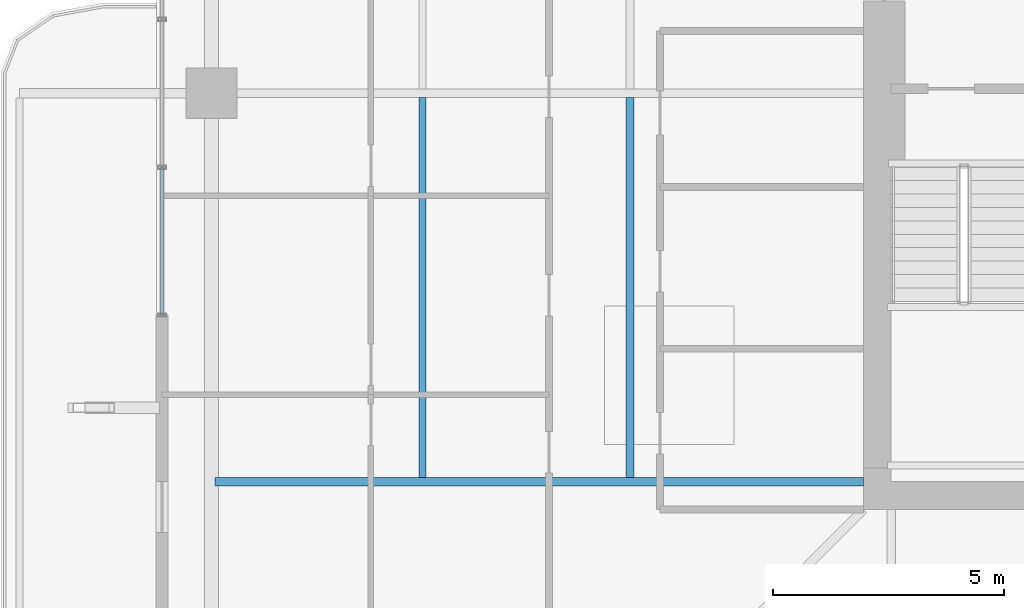
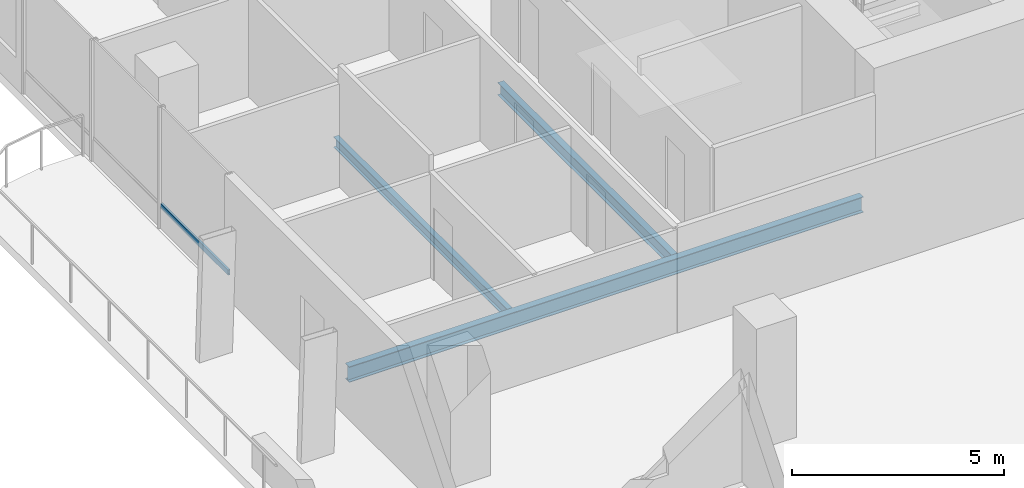
# One storey, part 5 of 25: 3 beams, 1 member, 1 element without a shape of its own.
"""IFC4 building model written with IfcOpenShell, lengths in metres."""

from ifc_helpers import new_model, si_unit, direction, frame, origin, origin_2d, place, context, subcontext, project, spatial, hollow_rectangle, i_section, extrude, material, layer, layer_set, material_profile, profile_set, type_object, element, aggregate, save


model = new_model("IFC4")

# Units and contexts
model_context = context("Model", 3, precision=1e-05, world=origin(), true_north=direction((0.0, 1.0)))
body_context = subcontext(model_context, "Body", "Model", "MODEL_VIEW")
ifc_project = project(units=[si_unit("LENGTHUNIT", "METRE"), si_unit("AREAUNIT", "SQUARE_METRE"), si_unit("VOLUMEUNIT", "CUBIC_METRE"), si_unit("PLANEANGLEUNIT", "RADIAN"), si_unit("MASSUNIT", "GRAM", prefix="KILO")], contexts=[model_context])

# Site, building, storey
site_placement = place(None, origin())
site = spatial("IfcSite", under=ifc_project, at=site_placement, CompositionType="ELEMENT")
building_placement = place(site_placement, origin())
building = spatial("IfcBuilding", under=site, at=building_placement, Name="Belovzor Exchange Tower", CompositionType="ELEMENT")
storey_placement = place(building_placement, frame((0.0, 0.0, 153.300048828125)))
storey = spatial("IfcBuildingStorey", under=building, at=storey_placement, Name="L37", CompositionType="ELEMENT", Elevation=153.300048828125)

# Beams
ifc_material_1 = material(Name="Steel S355", Category="steel")
ifc_material_profile_1 = material_profile(ifc_material_1, i_section(OverallWidth=0.169921875, OverallDepth=0.360107421875, WebThickness=0.008056640625, FlangeThickness=0.0126953125, at=origin_2d()))
ifc_profile_set_1 = profile_set([ifc_material_profile_1], Name="Steel S355")
beam_type_1 = type_object("IfcBeamType", Name="Secondary Infill Floor Joist IPE 360", PredefinedType="BEAM", material=ifc_profile_set_1)
beam_1_placement = place(storey_placement, frame((14.7509765625, 20.4951171875, -0.43505859375), z_axis=(0.0, 1.0, 0.0), x_axis=(-1.0, 0.0, 0.0)))
element("IfcBeam", 1, at=beam_1_placement, inside=storey, type_object=beam_type_1, Name="FJ-360 Secondary Infill Floor Joist IPE 360", PredefinedType="BEAM", context=body_context, shape_type="SweptSolid", body=[
    extrude(i_section(OverallWidth=0.169921875, OverallDepth=0.360107421875, WebThickness=0.008056640625, FlangeThickness=0.0126953125, at=origin_2d()), origin(), (0.0, 0.0, 1.0), 8.2099609375),
])
ifc_material_2 = material(Name="Steel S355", Category="steel")
ifc_material_profile_2 = material_profile(ifc_material_2, i_section(OverallWidth=0.14990234375, OverallDepth=0.300048828125, WebThickness=0.007080078125, FlangeThickness=0.0107421875, at=origin_2d()))
ifc_profile_set_2 = profile_set([ifc_material_profile_2], Name="Steel S355")
beam_type_2 = type_object("IfcBeamType", Name="Secondary Trim Floor Joist IPE 300", PredefinedType="BEAM", material=ifc_profile_set_2)
beam_2_placement = place(storey_placement, frame((10.262939453125, 20.4951171875, -0.405029296875), z_axis=(0.0, 1.0, 0.0), x_axis=(-1.0, 0.0, 0.0)))
element("IfcBeam", 2, at=beam_2_placement, inside=storey, type_object=beam_type_2, Name="FJ-300 Secondary Trim Floor Joist IPE 300", PredefinedType="BEAM", context=body_context, shape_type="SweptSolid", body=[
    extrude(i_section(OverallWidth=0.14990234375, OverallDepth=0.300048828125, WebThickness=0.007080078125, FlangeThickness=0.0107421875, at=origin_2d()), origin(), (0.0, 0.0, 1.0), 8.2099609375),
])

# Curtain wall, member
ifc_material_3 = material(Name="Anodised Aluminium Framing", Category="aluminium")
ifc_layer = layer(ifc_material_3, 0.179931640625)
ifc_layer_set = layer_set([ifc_layer], Name="Anodised Aluminium Framing")
curtain_wall_type = type_object("IfcCurtainWallType", Name="Recessed Loggia Low-Iron Triple-Glazed Curtain Wall", PredefinedType="NOTDEFINED", material=ifc_layer_set)
curtain_wall_placement = place(storey_placement, origin())
curtain_wall = element("IfcCurtainWall", 3, at=curtain_wall_placement, inside=storey, type_object=curtain_wall_type, Name="CW3 Recessed Loggia Low-Iron Triple-Glazed Curtain Wall L37", PredefinedType="NOTDEFINED")
ifc_material_4 = material(Name="Steel S355", Category="steel")
ifc_material_profile_3 = material_profile(ifc_material_4, hollow_rectangle(XDim=0.06005859375, YDim=0.14990234375, WallThickness=0.00390625, at=origin_2d()))
ifc_profile_set_3 = profile_set([ifc_material_profile_3], Name="Steel S355")
member_type = type_object("IfcMemberType", Name="Thermally Broken Curtain Wall Transom 150x60", PredefinedType="USERDEFINED", material=ifc_profile_set_3)
member_placement = place(storey_placement, frame((4.6298828125, 24.008056640625, 0.62890625), z_axis=(0.0, 1.0, 0.0), x_axis=(-1.0, 0.0, 0.0)))
member = element("IfcMember", 4, at=member_placement, type_object=member_type, Name="CW-T150 Curtain Wall Transom 1", ObjectType="TRANSOM", PredefinedType="USERDEFINED", context=body_context, shape_type="SweptSolid", body=[
    extrude(hollow_rectangle(XDim=0.06005859375, YDim=0.14990234375, WallThickness=0.00390625, at=origin_2d()), origin(), (0.0, 0.0, 1.0), 3.183837890625),
])
aggregate(curtain_wall, [member])

# Beam
ifc_material_5 = material(Name="Steel S355", Category="steel")
ifc_material_profile_4 = material_profile(ifc_material_5, i_section(OverallWidth=0.18994140625, OverallDepth=0.449951171875, WebThickness=0.009521484375, FlangeThickness=0.0146484375, at=origin_2d()))
ifc_profile_set_4 = profile_set([ifc_material_profile_4], Name="Steel S355")
beam_type_3 = type_object("IfcBeamType", Name="Zone 2-4 Radial Composite Floor Beam IPE 450", PredefinedType="BEAM", material=ifc_profile_set_4)
beam_3_placement = place(storey_placement, frame((19.800048828125, 20.39990234375, -0.47998046875), z_axis=(-1.0, 0.0, 0.0), x_axis=(0.0, -1.0, 0.0)))
element("IfcBeam", 5, at=beam_3_placement, inside=storey, type_object=beam_type_3, Name="FB-450 Zone 2-4 Radial Composite Floor Beam IPE 450", PredefinedType="BEAM", context=body_context, shape_type="SweptSolid", body=[
    extrude(i_section(OverallWidth=0.18994140625, OverallDepth=0.449951171875, WebThickness=0.009521484375, FlangeThickness=0.0146484375, at=origin_2d()), origin(), (0.0, 0.0, 1.0), 14.025146484375),
])

save(model, "model.ifc")
